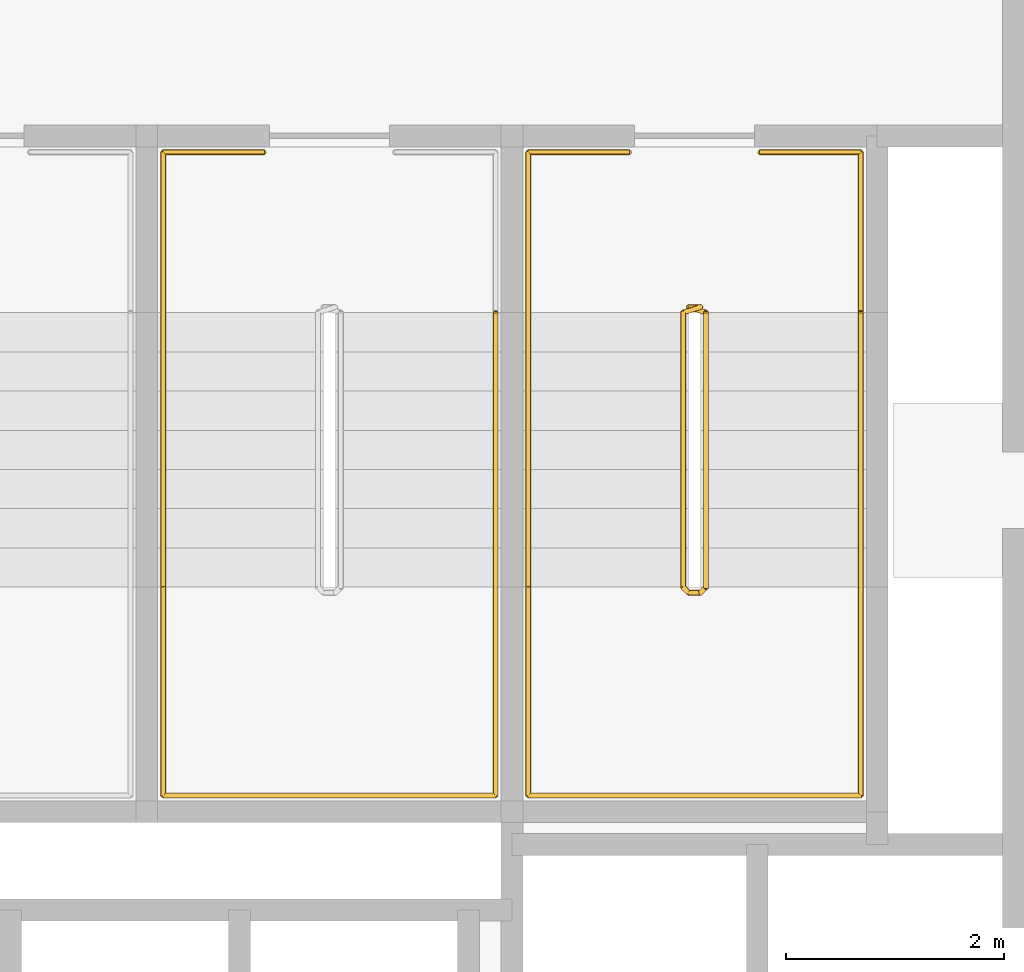
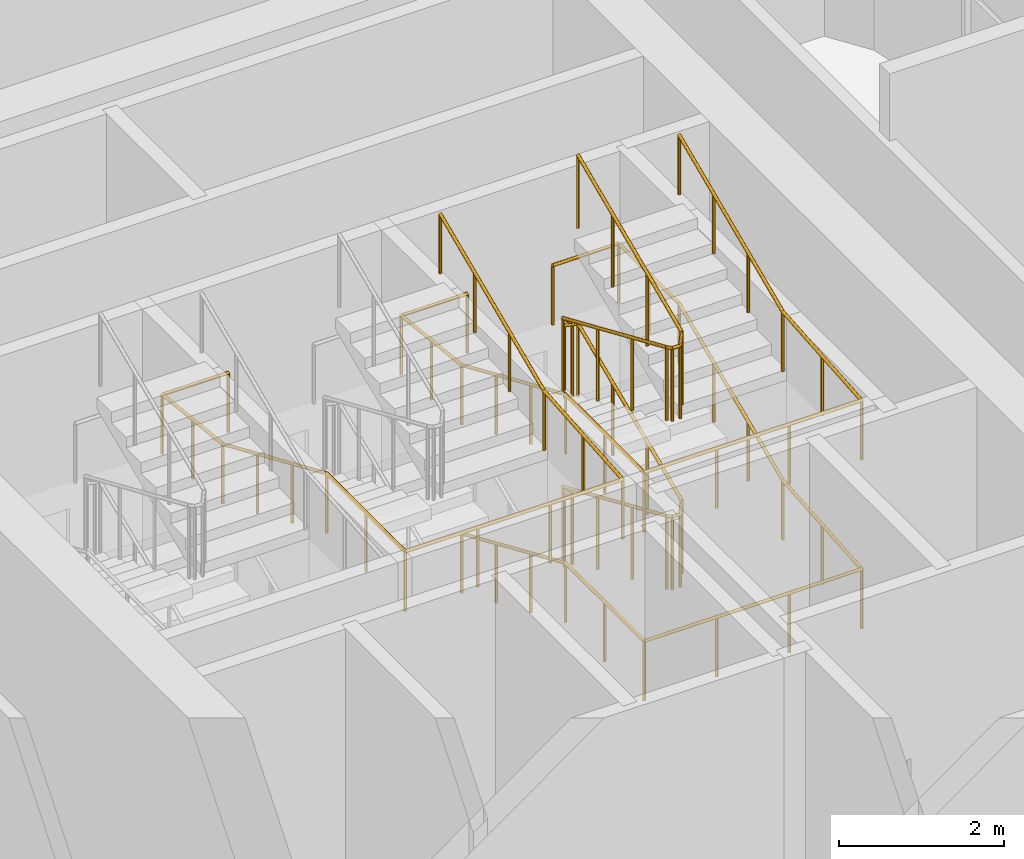
# One storey, part 26 of 26: 4 railings.
"""IFC4 building model written with IfcOpenShell, lengths in metres."""

from ifc_helpers import new_model, si_unit, direction, frame, origin, origin_2d, place, context, subcontext, project, spatial, circle, extrude, material, type_object, element, save


model = new_model("IFC4")

# Units and contexts
model_context = context("Model", 3, precision=1e-05, world=origin(), true_north=direction((0.0, 1.0)))
body_context = subcontext(model_context, "Body", "Model", "MODEL_VIEW")
ifc_project = project(units=[si_unit("LENGTHUNIT", "METRE"), si_unit("AREAUNIT", "SQUARE_METRE"), si_unit("VOLUMEUNIT", "CUBIC_METRE"), si_unit("PLANEANGLEUNIT", "RADIAN"), si_unit("MASSUNIT", "GRAM", prefix="KILO")], contexts=[model_context])

# Site, building, storey
site_placement = place(None, origin())
site = spatial("IfcSite", under=ifc_project, at=site_placement, CompositionType="ELEMENT")
building_placement = place(site_placement, origin())
building = spatial("IfcBuilding", under=site, at=building_placement, Name="Tessera Arch", CompositionType="ELEMENT")
storey_placement = place(building_placement, frame((0.0, 0.0, 72.800048828125)))
storey = spatial("IfcBuildingStorey", under=building, at=storey_placement, Name="L16", CompositionType="ELEMENT", Elevation=72.800048828125)

# Railings
ifc_material_1 = material(Name="Painted steel balustrade", Category="steel")
railing_type_1 = type_object("IfcRailingType", Name="Stair guard 1100", PredefinedType="GUARDRAIL", material=ifc_material_1)
railing_1_placement = place(storey_placement, frame((44.919921875, 43.6298828125, 0.0)))
element("IfcRailing", 1, at=railing_1_placement, inside=storey, type_object=railing_type_1, Name="L16 S1c stair guard 1", PredefinedType="GUARDRAIL", context=body_context, shape_type="SweptSolid", body=[
    extrude(circle(Radius=0.02392578125, at=origin_2d()), frame((-0.00390625, 0.0, 1.076171875), z_axis=(1.0, 0.0, 0.0), x_axis=(0.0, 1.0, 0.0)), (0.0, 0.0, 1.0), 0.1181640625),
    extrude(circle(Radius=0.02392578125, at=origin_2d()), frame((0.11279296875, 0.0009765625, 1.0732421875), z_axis=(-0.698136755474, -0.217434958957, 0.682148890844), x_axis=(0.297361876254, -0.954764847777, 0.0)), (0.0, 0.0, 1.0), 0.237060546875),
    extrude(circle(Radius=0.02392578125, at=origin_2d()), frame((-0.0498046875, -0.046142578125, 1.230712890625), z_axis=(0.0, -0.917324189904, 0.398141093855), x_axis=(1.0, 0.0, 0.0)), (0.0, 0.0, 1.0), 2.755126953125),
    extrude(circle(Radius=0.02392578125, at=origin_2d()), frame((-0.052734375, -2.56689453125, 2.326171875), z_axis=(0.705375805398, -0.708833529934, 0.0), x_axis=(0.708833529934, 0.705375805398, 0.0)), (0.0, 0.0, 1.0), 0.07861328125),
    extrude(circle(Radius=0.02392578125, at=origin_2d()), frame((-0.00390625, -2.619873046875, 2.326171875), z_axis=(1.0, 0.0, 0.0), x_axis=(0.0, 1.0, 0.0)), (0.0, 0.0, 1.0), 0.1181640625),
    extrude(circle(Radius=0.02392578125, at=origin_2d()), frame((0.10888671875, -2.62109375, 2.322509765625), z_axis=(0.29177245553, 0.29177245553, 0.91089937336), x_axis=(-0.707106781187, 0.707106781187, 0.0)), (0.0, 0.0, 1.0), 0.179443359375),
    extrude(circle(Radius=0.02392578125, at=origin_2d()), frame((0.16015625, -2.573486328125, 2.480712890625), z_axis=(0.0, 0.917324189904, 0.398141093855), x_axis=(-1.0, 0.0, 0.0)), (0.0, 0.0, 1.0), 2.755126953125),
    extrude(circle(Radius=0.02392578125, at=origin_2d()), frame((0.1640625, -0.051025390625, 3.576171875), z_axis=(-0.954893471113, 0.296948579431, 0.0), x_axis=(-0.296948579431, -0.954893471113, 0.0)), (0.0, 0.0, 1.0), 0.17578125),
    extrude(circle(Radius=0.02392578125, at=origin_2d()), frame((-0.00390625, 0.0, 3.576171875), z_axis=(1.0, 0.0, 0.0), x_axis=(0.0, 1.0, 0.0)), (0.0, 0.0, 1.0), 0.1181640625),
    extrude(circle(Radius=0.02392578125, at=origin_2d()), frame((0.11279296875, 0.0009765625, 3.5732421875), z_axis=(-0.698136755474, -0.217434958957, 0.682148890844), x_axis=(0.297361876254, -0.954764847777, 0.0)), (0.0, 0.0, 1.0), 0.237060546875),
    extrude(circle(Radius=0.02392578125, at=origin_2d()), frame((-0.0498046875, -0.046142578125, 3.730712890625), z_axis=(0.0, -0.917324189904, 0.398141093855), x_axis=(1.0, 0.0, 0.0)), (0.0, 0.0, 1.0), 2.755126953125),
    extrude(circle(Radius=0.02392578125, at=origin_2d()), frame((-0.052734375, -2.56689453125, 4.826171875), z_axis=(0.705375805398, -0.708833529934, 0.0), x_axis=(0.708833529934, 0.705375805398, 0.0)), (0.0, 0.0, 1.0), 0.07861328125),
    extrude(circle(Radius=0.02392578125, at=origin_2d()), frame((-0.00390625, -2.619873046875, 4.826171875), z_axis=(1.0, 0.0, 0.0), x_axis=(0.0, 1.0, 0.0)), (0.0, 0.0, 1.0), 0.1181640625),
    extrude(circle(Radius=0.02392578125, at=origin_2d()), frame((0.10888671875, -2.62109375, 4.822509765625), z_axis=(0.29177245553, 0.29177245553, 0.91089937336), x_axis=(-0.707106781187, 0.707106781187, 0.0)), (0.0, 0.0, 1.0), 0.179443359375),
    extrude(circle(Radius=0.02392578125, at=origin_2d()), frame((0.16015625, -2.573486328125, 4.980712890625), z_axis=(0.0, 0.917324189904, 0.398141093855), x_axis=(-1.0, 0.0, 0.0)), (0.0, 0.0, 1.0), 2.755126953125),
    extrude(circle(Radius=0.02099609375, at=origin_2d()), origin(), (0.0, 0.0, 1.0), 1.06396484375),
    extrude(circle(Radius=0.02099609375, at=origin_2d()), frame((0.110107421875, 0.0, 0.0)), (0.0, 0.0, 1.0), 1.06396484375),
    extrude(circle(Radius=0.02099609375, at=origin_2d()), frame((-0.0498046875, -0.0498046875, 0.15625)), (0.0, 0.0, 1.0), 1.06396484375),
    extrude(circle(Radius=0.02099609375, at=origin_2d()), frame((-0.0498046875, -0.889892578125, 0.520751953125)), (0.0, 0.0, 1.0), 1.06396484375),
    extrude(circle(Radius=0.02099609375, at=origin_2d()), frame((-0.0498046875, -1.729736328125, 0.885498046875)), (0.0, 0.0, 1.0), 1.06396484375),
    extrude(circle(Radius=0.02099609375, at=origin_2d()), frame((-0.0498046875, -2.56982421875, 1.25)), (0.0, 0.0, 1.0), 1.06396484375),
    extrude(circle(Radius=0.02099609375, at=origin_2d()), frame((0.0, -2.619873046875, 1.25)), (0.0, 0.0, 1.0), 1.06396484375),
    extrude(circle(Radius=0.02099609375, at=origin_2d()), frame((0.110107421875, -2.619873046875, 1.25)), (0.0, 0.0, 1.0), 1.06396484375),
    extrude(circle(Radius=0.02099609375, at=origin_2d()), frame((0.16015625, -2.56982421875, 1.40625)), (0.0, 0.0, 1.0), 1.06396484375),
    extrude(circle(Radius=0.02099609375, at=origin_2d()), frame((0.16015625, -1.729736328125, 1.770751953125)), (0.0, 0.0, 1.0), 1.06396484375),
    extrude(circle(Radius=0.02099609375, at=origin_2d()), frame((0.16015625, -0.889892578125, 2.135498046875)), (0.0, 0.0, 1.0), 1.06396484375),
    extrude(circle(Radius=0.02099609375, at=origin_2d()), frame((0.16015625, -0.0498046875, 2.5)), (0.0, 0.0, 1.0), 1.06396484375),
    extrude(circle(Radius=0.02099609375, at=origin_2d()), frame((0.0, 0.0, 2.5)), (0.0, 0.0, 1.0), 1.06396484375),
    extrude(circle(Radius=0.02099609375, at=origin_2d()), frame((0.110107421875, 0.0, 2.5)), (0.0, 0.0, 1.0), 1.06396484375),
    extrude(circle(Radius=0.02099609375, at=origin_2d()), frame((-0.0498046875, -0.0498046875, 2.65625)), (0.0, 0.0, 1.0), 1.06396484375),
    extrude(circle(Radius=0.02099609375, at=origin_2d()), frame((-0.0498046875, -0.889892578125, 3.020751953125)), (0.0, 0.0, 1.0), 1.06396484375),
    extrude(circle(Radius=0.02099609375, at=origin_2d()), frame((-0.0498046875, -1.729736328125, 3.385498046875)), (0.0, 0.0, 1.0), 1.06396484375),
    extrude(circle(Radius=0.02099609375, at=origin_2d()), frame((-0.0498046875, -2.56982421875, 3.75)), (0.0, 0.0, 1.0), 1.06396484375),
    extrude(circle(Radius=0.02099609375, at=origin_2d()), frame((0.0, -2.619873046875, 3.75)), (0.0, 0.0, 1.0), 1.06396484375),
    extrude(circle(Radius=0.02099609375, at=origin_2d()), frame((0.110107421875, -2.619873046875, 3.75)), (0.0, 0.0, 1.0), 1.06396484375),
    extrude(circle(Radius=0.02099609375, at=origin_2d()), frame((0.16015625, -2.56982421875, 3.90625)), (0.0, 0.0, 1.0), 1.06396484375),
    extrude(circle(Radius=0.02099609375, at=origin_2d()), frame((0.16015625, -1.729736328125, 4.270751953125)), (0.0, 0.0, 1.0), 1.06396484375),
    extrude(circle(Radius=0.02099609375, at=origin_2d()), frame((0.16015625, -0.889892578125, 4.635498046875)), (0.0, 0.0, 1.0), 1.06396484375),
    extrude(circle(Radius=0.02099609375, at=origin_2d()), frame((0.16015625, -0.0498046875, 5.0)), (0.0, 0.0, 1.0), 1.06396484375),
])
ifc_material_2 = material(Name="Painted steel handrail", Category="steel")
railing_type_2 = type_object("IfcRailingType", Name="Stair handrail 900", PredefinedType="HANDRAIL", material=ifc_material_2)
railing_2_placement = place(storey_placement, frame((41.02490234375, 45.050048828125, 2.5)))
element("IfcRailing", 2, at=railing_2_placement, inside=storey, type_object=railing_type_2, Name="L16 S1b stair handrail 2", PredefinedType="HANDRAIL", context=body_context, shape_type="SweptSolid", body=[
    extrude(circle(Radius=0.02392578125, at=origin_2d()), frame((0.00390625, 0.0, 0.8759765625), z_axis=(-1.0, 0.0, 0.0), x_axis=(0.0, -1.0, 0.0)), (0.0, 0.0, 1.0), 0.932861328125),
    extrude(circle(Radius=0.02392578125, at=origin_2d()), frame((-0.9248046875, 0.00390625, 0.87548828125), z_axis=(0.0, -0.994398150376, 0.105699188879), x_axis=(1.0, 0.0, 0.0)), (0.0, 0.0, 1.0), 1.486328125),
    extrude(circle(Radius=0.02392578125, at=origin_2d()), frame((-0.9248046875, -1.46630859375, 1.030517578125), z_axis=(0.0, -0.917324189904, 0.398141093855), x_axis=(1.0, 0.0, 0.0)), (0.0, 0.0, 1.0), 2.755126953125),
    extrude(circle(Radius=0.02392578125, at=origin_2d()), frame((-0.9248046875, -3.986083984375, 2.1259765625), z_axis=(0.0, -1.0, 0.0), x_axis=(1.0, 0.0, 0.0)), (0.0, 0.0, 1.0), 1.918212890625),
    extrude(circle(Radius=0.02392578125, at=origin_2d()), frame((-0.9287109375, -5.900146484375, 2.1259765625), z_axis=(1.0, 0.0, 0.0), x_axis=(0.0, 1.0, 0.0)), (0.0, 0.0, 1.0), 3.057861328125),
    extrude(circle(Radius=0.02392578125, at=origin_2d()), frame((2.125, -5.904052734375, 2.12548828125), z_axis=(0.0, 0.996671109807, 0.081527289146), x_axis=(-1.0, 0.0, 0.0)), (0.0, 0.0, 1.0), 1.924560546875),
    extrude(circle(Radius=0.02392578125, at=origin_2d()), frame((2.125, -3.99365234375, 2.280517578125), z_axis=(0.0, 0.917324189904, 0.398141093855), x_axis=(-1.0, 0.0, 0.0)), (0.0, 0.0, 1.0), 2.755126953125),
    extrude(circle(Radius=0.02099609375, at=origin_2d()), origin(), (0.0, 0.0, 1.0), 0.86376953125),
    extrude(circle(Radius=0.02099609375, at=origin_2d()), frame((-0.9248046875, 0.0, 0.0)), (0.0, 0.0, 1.0), 0.86376953125),
    extrude(circle(Radius=0.02099609375, at=origin_2d()), frame((-0.9248046875, -0.73486328125, 0.078125)), (0.0, 0.0, 1.0), 0.86376953125),
    extrude(circle(Radius=0.02099609375, at=origin_2d()), frame((-0.9248046875, -1.469970703125, 0.15625)), (0.0, 0.0, 1.0), 0.86376953125),
    extrude(circle(Radius=0.02099609375, at=origin_2d()), frame((-0.9248046875, -2.31005859375, 0.520751953125)), (0.0, 0.0, 1.0), 0.86376953125),
    extrude(circle(Radius=0.02099609375, at=origin_2d()), frame((-0.9248046875, -3.14990234375, 0.885498046875)), (0.0, 0.0, 1.0), 0.86376953125),
    extrude(circle(Radius=0.02099609375, at=origin_2d()), frame((-0.9248046875, -3.989990234375, 1.25)), (0.0, 0.0, 1.0), 0.86376953125),
    extrude(circle(Radius=0.02099609375, at=origin_2d()), frame((-0.9248046875, -4.945068359375, 1.25)), (0.0, 0.0, 1.0), 0.86376953125),
    extrude(circle(Radius=0.02099609375, at=origin_2d()), frame((-0.9248046875, -5.900146484375, 1.25)), (0.0, 0.0, 1.0), 0.86376953125),
    extrude(circle(Radius=0.02099609375, at=origin_2d()), frame((0.091796875, -5.900146484375, 1.25)), (0.0, 0.0, 1.0), 0.86376953125),
    extrude(circle(Radius=0.02099609375, at=origin_2d()), frame((1.1083984375, -5.900146484375, 1.25)), (0.0, 0.0, 1.0), 0.86376953125),
    extrude(circle(Radius=0.02099609375, at=origin_2d()), frame((2.125, -5.900146484375, 1.25)), (0.0, 0.0, 1.0), 0.86376953125),
    extrude(circle(Radius=0.02099609375, at=origin_2d()), frame((2.125, -4.945068359375, 1.328125)), (0.0, 0.0, 1.0), 0.86376953125),
    extrude(circle(Radius=0.02099609375, at=origin_2d()), frame((2.125, -3.989990234375, 1.40625)), (0.0, 0.0, 1.0), 0.86376953125),
    extrude(circle(Radius=0.02099609375, at=origin_2d()), frame((2.125, -3.14990234375, 1.770751953125)), (0.0, 0.0, 1.0), 0.86376953125),
    extrude(circle(Radius=0.02099609375, at=origin_2d()), frame((2.125, -2.31005859375, 2.135498046875)), (0.0, 0.0, 1.0), 0.86376953125),
    extrude(circle(Radius=0.02099609375, at=origin_2d()), frame((2.125, -1.469970703125, 2.5)), (0.0, 0.0, 1.0), 0.86376953125),
])
railing_3_placement = place(storey_placement, frame((43.449951171875, 43.580078125, 0.15625)))
element("IfcRailing", 3, at=railing_3_placement, inside=storey, type_object=railing_type_2, Name="L16 S1c stair handrail", PredefinedType="HANDRAIL", context=body_context, shape_type="SweptSolid", body=[
    extrude(circle(Radius=0.02392578125, at=origin_2d()), frame((0.0, 0.003662109375, 0.874267578125), z_axis=(0.0, -0.917324189904, 0.398141093855), x_axis=(1.0, 0.0, 0.0)), (0.0, 0.0, 1.0), 2.755126953125),
    extrude(circle(Radius=0.02392578125, at=origin_2d()), frame((0.0, -2.51611328125, 1.9697265625), z_axis=(0.0, -1.0, 0.0), x_axis=(1.0, 0.0, 0.0)), (0.0, 0.0, 1.0), 1.918212890625),
    extrude(circle(Radius=0.02392578125, at=origin_2d()), frame((-0.00390625, -4.43017578125, 1.9697265625), z_axis=(1.0, 0.0, 0.0), x_axis=(0.0, 1.0, 0.0)), (0.0, 0.0, 1.0), 3.05810546875),
    extrude(circle(Radius=0.02392578125, at=origin_2d()), frame((3.050048828125, -4.43408203125, 1.96923828125), z_axis=(0.0, 0.996671109807, 0.081527289146), x_axis=(-1.0, 0.0, 0.0)), (0.0, 0.0, 1.0), 1.924560546875),
    extrude(circle(Radius=0.02392578125, at=origin_2d()), frame((3.050048828125, -2.523681640625, 2.124267578125), z_axis=(0.0, 0.917324189904, 0.398141093855), x_axis=(-1.0, 0.0, 0.0)), (0.0, 0.0, 1.0), 2.755126953125),
    extrude(circle(Radius=0.02392578125, at=origin_2d()), frame((3.050048828125, -0.00390625, 3.2197265625), z_axis=(0.0, 1.0, 0.0), x_axis=(-1.0, 0.0, 0.0)), (0.0, 0.0, 1.0), 1.47802734375),
    extrude(circle(Radius=0.02392578125, at=origin_2d()), frame((3.053955078125, 1.469970703125, 3.2197265625), z_axis=(-1.0, 0.0, 0.0), x_axis=(0.0, -1.0, 0.0)), (0.0, 0.0, 1.0), 0.93310546875),
    extrude(circle(Radius=0.02099609375, at=origin_2d()), origin(), (0.0, 0.0, 1.0), 0.86376953125),
    extrude(circle(Radius=0.02099609375, at=origin_2d()), frame((0.0, -0.840087890625, 0.364501953125)), (0.0, 0.0, 1.0), 0.86376953125),
    extrude(circle(Radius=0.02099609375, at=origin_2d()), frame((0.0, -1.679931640625, 0.729248046875)), (0.0, 0.0, 1.0), 0.86376953125),
    extrude(circle(Radius=0.02099609375, at=origin_2d()), frame((0.0, -2.52001953125, 1.09375)), (0.0, 0.0, 1.0), 0.86376953125),
    extrude(circle(Radius=0.02099609375, at=origin_2d()), frame((0.0, -3.47509765625, 1.09375)), (0.0, 0.0, 1.0), 0.86376953125),
    extrude(circle(Radius=0.02099609375, at=origin_2d()), frame((0.0, -4.43017578125, 1.09375)), (0.0, 0.0, 1.0), 0.86376953125),
    extrude(circle(Radius=0.02099609375, at=origin_2d()), frame((1.0166015625, -4.43017578125, 1.09375)), (0.0, 0.0, 1.0), 0.86376953125),
    extrude(circle(Radius=0.02099609375, at=origin_2d()), frame((2.033447265625, -4.43017578125, 1.09375)), (0.0, 0.0, 1.0), 0.86376953125),
    extrude(circle(Radius=0.02099609375, at=origin_2d()), frame((3.050048828125, -4.43017578125, 1.09375)), (0.0, 0.0, 1.0), 0.86376953125),
    extrude(circle(Radius=0.02099609375, at=origin_2d()), frame((3.050048828125, -3.47509765625, 1.171875)), (0.0, 0.0, 1.0), 0.86376953125),
    extrude(circle(Radius=0.02099609375, at=origin_2d()), frame((3.050048828125, -2.52001953125, 1.25)), (0.0, 0.0, 1.0), 0.86376953125),
    extrude(circle(Radius=0.02099609375, at=origin_2d()), frame((3.050048828125, -1.679931640625, 1.614501953125)), (0.0, 0.0, 1.0), 0.86376953125),
    extrude(circle(Radius=0.02099609375, at=origin_2d()), frame((3.050048828125, -0.840087890625, 1.979248046875)), (0.0, 0.0, 1.0), 0.86376953125),
    extrude(circle(Radius=0.02099609375, at=origin_2d()), frame((3.050048828125, 0.0, 2.34375)), (0.0, 0.0, 1.0), 0.86376953125),
    extrude(circle(Radius=0.02099609375, at=origin_2d()), frame((3.050048828125, 0.73486328125, 2.34375)), (0.0, 0.0, 1.0), 0.86376953125),
    extrude(circle(Radius=0.02099609375, at=origin_2d()), frame((3.050048828125, 1.469970703125, 2.34375)), (0.0, 0.0, 1.0), 0.86376953125),
    extrude(circle(Radius=0.02099609375, at=origin_2d()), frame((2.125, 1.469970703125, 2.34375)), (0.0, 0.0, 1.0), 0.86376953125),
])
railing_4_placement = place(storey_placement, frame((44.375, 45.050048828125, 2.5)))
element("IfcRailing", 4, at=railing_4_placement, inside=storey, type_object=railing_type_2, Name="L16 S1c stair handrail 2", PredefinedType="HANDRAIL", context=body_context, shape_type="SweptSolid", body=[
    extrude(circle(Radius=0.02392578125, at=origin_2d()), frame((0.00390625, 0.0, 0.8759765625), z_axis=(-1.0, 0.0, 0.0), x_axis=(0.0, -1.0, 0.0)), (0.0, 0.0, 1.0), 0.93310546875),
    extrude(circle(Radius=0.02392578125, at=origin_2d()), frame((-0.925048828125, 0.00390625, 0.87548828125), z_axis=(0.0, -0.994398150376, 0.105699188879), x_axis=(1.0, 0.0, 0.0)), (0.0, 0.0, 1.0), 1.486328125),
    extrude(circle(Radius=0.02392578125, at=origin_2d()), frame((-0.925048828125, -1.46630859375, 1.030517578125), z_axis=(0.0, -0.917324189904, 0.398141093855), x_axis=(1.0, 0.0, 0.0)), (0.0, 0.0, 1.0), 2.755126953125),
    extrude(circle(Radius=0.02392578125, at=origin_2d()), frame((-0.925048828125, -3.986083984375, 2.1259765625), z_axis=(0.0, -1.0, 0.0), x_axis=(1.0, 0.0, 0.0)), (0.0, 0.0, 1.0), 1.918212890625),
    extrude(circle(Radius=0.02392578125, at=origin_2d()), frame((-0.928955078125, -5.900146484375, 2.1259765625), z_axis=(1.0, 0.0, 0.0), x_axis=(0.0, 1.0, 0.0)), (0.0, 0.0, 1.0), 3.05810546875),
    extrude(circle(Radius=0.02392578125, at=origin_2d()), frame((2.125, -5.904052734375, 2.12548828125), z_axis=(0.0, 0.996671109807, 0.081527289146), x_axis=(-1.0, 0.0, 0.0)), (0.0, 0.0, 1.0), 1.924560546875),
    extrude(circle(Radius=0.02392578125, at=origin_2d()), frame((2.125, -3.99365234375, 2.280517578125), z_axis=(0.0, 0.917324189904, 0.398141093855), x_axis=(-1.0, 0.0, 0.0)), (0.0, 0.0, 1.0), 2.755126953125),
    extrude(circle(Radius=0.02099609375, at=origin_2d()), origin(), (0.0, 0.0, 1.0), 0.86376953125),
    extrude(circle(Radius=0.02099609375, at=origin_2d()), frame((-0.925048828125, 0.0, 0.0)), (0.0, 0.0, 1.0), 0.86376953125),
    extrude(circle(Radius=0.02099609375, at=origin_2d()), frame((-0.925048828125, -0.73486328125, 0.078125)), (0.0, 0.0, 1.0), 0.86376953125),
    extrude(circle(Radius=0.02099609375, at=origin_2d()), frame((-0.925048828125, -1.469970703125, 0.15625)), (0.0, 0.0, 1.0), 0.86376953125),
    extrude(circle(Radius=0.02099609375, at=origin_2d()), frame((-0.925048828125, -2.31005859375, 0.520751953125)), (0.0, 0.0, 1.0), 0.86376953125),
    extrude(circle(Radius=0.02099609375, at=origin_2d()), frame((-0.925048828125, -3.14990234375, 0.885498046875)), (0.0, 0.0, 1.0), 0.86376953125),
    extrude(circle(Radius=0.02099609375, at=origin_2d()), frame((-0.925048828125, -3.989990234375, 1.25)), (0.0, 0.0, 1.0), 0.86376953125),
    extrude(circle(Radius=0.02099609375, at=origin_2d()), frame((-0.925048828125, -4.945068359375, 1.25)), (0.0, 0.0, 1.0), 0.86376953125),
    extrude(circle(Radius=0.02099609375, at=origin_2d()), frame((-0.925048828125, -5.900146484375, 1.25)), (0.0, 0.0, 1.0), 0.86376953125),
    extrude(circle(Radius=0.02099609375, at=origin_2d()), frame((0.091552734375, -5.900146484375, 1.25)), (0.0, 0.0, 1.0), 0.86376953125),
    extrude(circle(Radius=0.02099609375, at=origin_2d()), frame((1.1083984375, -5.900146484375, 1.25)), (0.0, 0.0, 1.0), 0.86376953125),
    extrude(circle(Radius=0.02099609375, at=origin_2d()), frame((2.125, -5.900146484375, 1.25)), (0.0, 0.0, 1.0), 0.86376953125),
    extrude(circle(Radius=0.02099609375, at=origin_2d()), frame((2.125, -4.945068359375, 1.328125)), (0.0, 0.0, 1.0), 0.86376953125),
    extrude(circle(Radius=0.02099609375, at=origin_2d()), frame((2.125, -3.989990234375, 1.40625)), (0.0, 0.0, 1.0), 0.86376953125),
    extrude(circle(Radius=0.02099609375, at=origin_2d()), frame((2.125, -3.14990234375, 1.770751953125)), (0.0, 0.0, 1.0), 0.86376953125),
    extrude(circle(Radius=0.02099609375, at=origin_2d()), frame((2.125, -2.31005859375, 2.135498046875)), (0.0, 0.0, 1.0), 0.86376953125),
    extrude(circle(Radius=0.02099609375, at=origin_2d()), frame((2.125, -1.469970703125, 2.5)), (0.0, 0.0, 1.0), 0.86376953125),
])

save(model, "model.ifc")
